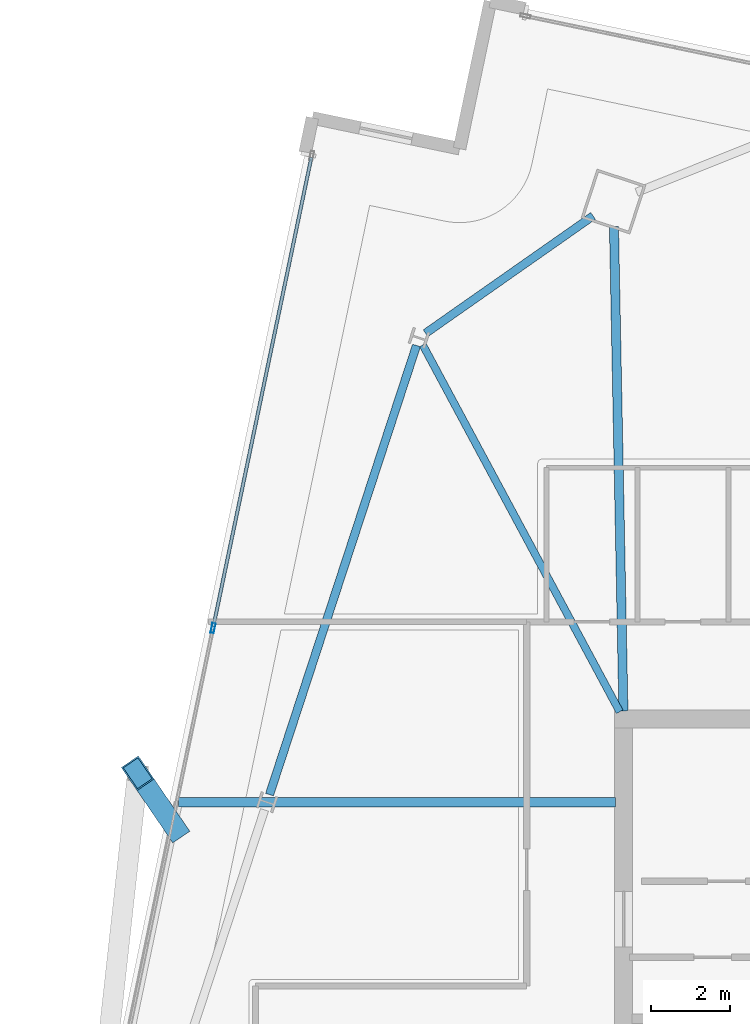
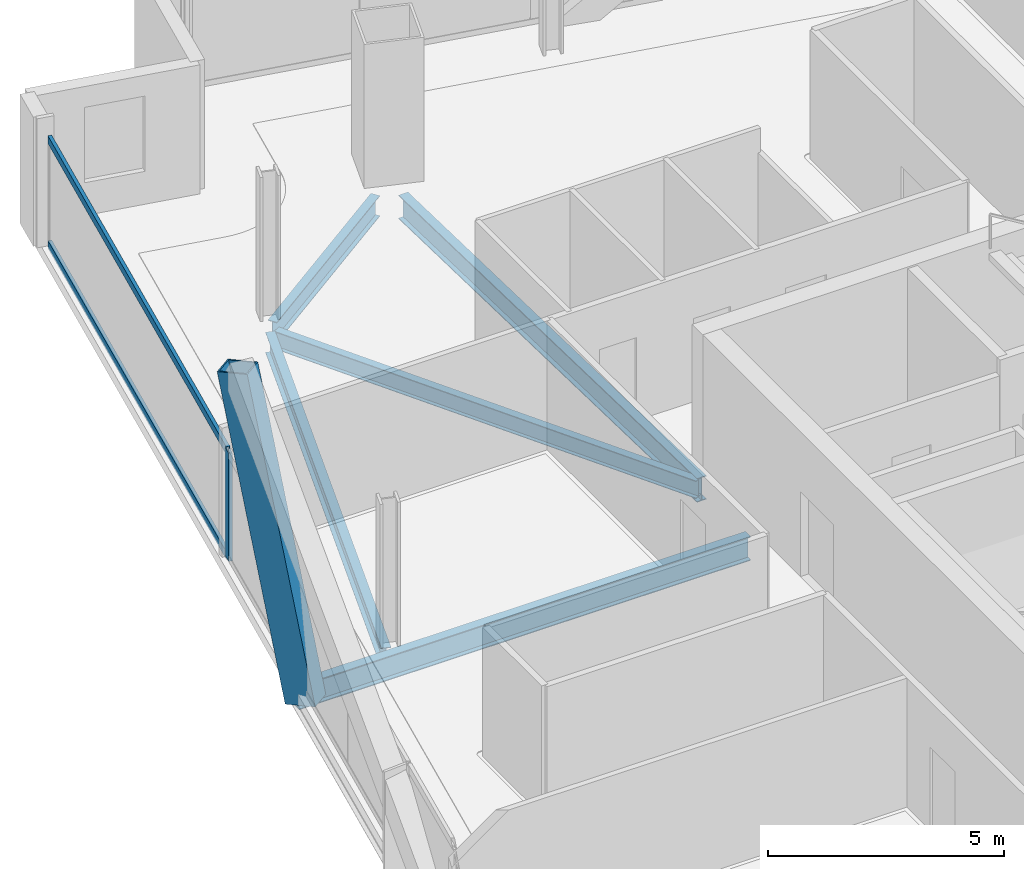
# One storey, part 11 of 24: 5 beams, 4 members, 1 element without a shape of its own.
"""IFC4 building model written with IfcOpenShell, lengths in metres."""

from ifc_helpers import new_model, si_unit, direction, frame, origin, origin_2d, place, context, subcontext, project, spatial, hollow_rectangle, i_section, extrude, material, material_profile, profile_set, type_object, element, aggregate, save


model = new_model("IFC4")

# Units and contexts
model_context = context("Model", 3, precision=1e-05, world=origin(), true_north=direction((0.0, 1.0)))
body_context = subcontext(model_context, "Body", "Model", "MODEL_VIEW")
ifc_project = project(units=[si_unit("LENGTHUNIT", "METRE"), si_unit("AREAUNIT", "SQUARE_METRE"), si_unit("VOLUMEUNIT", "CUBIC_METRE"), si_unit("PLANEANGLEUNIT", "RADIAN"), si_unit("MASSUNIT", "GRAM", prefix="KILO")], contexts=[model_context])

# Site, building, storey
site_placement = place(None, origin())
site = spatial("IfcSite", under=ifc_project, at=site_placement, CompositionType="ELEMENT")
building_placement = place(site_placement, origin())
building = spatial("IfcBuilding", under=site, at=building_placement, Name="Haldenkirk Collegiate Tower", CompositionType="ELEMENT")
storey_placement = place(building_placement, frame((0.0, 0.0, 289.949951171875)))
storey = spatial("IfcBuildingStorey", under=building, at=storey_placement, Name="L73", CompositionType="ELEMENT", Elevation=289.949951171875)

# Beams
ifc_material_1 = material(Name="Steel ASTM A992 Grade 50", Category="steel")
ifc_material_profile_1 = material_profile(ifc_material_1, i_section(OverallWidth=0.22998046875, OverallDepth=0.616943359375, WebThickness=0.01318359375, FlangeThickness=0.022216796875, at=origin_2d()), Name="W24X94")
ifc_profile_set_1 = profile_set([ifc_material_profile_1], Name="Steel ASTM A992 Grade 50")
beam_type_1 = type_object("IfcBeamType", Name="BM-GIRDER-W24X94", PredefinedType="BEAM", material=ifc_profile_set_1)
beam_1_placement = place(storey_placement, frame((26.75732421875, 46.443603515625, -0.578369140625), z_axis=(0.019505953171, -0.999809740796, 0.0), x_axis=(0.999809740796, 0.019505953171, 0.0)))
element("IfcBeam", 1, at=beam_1_placement, inside=storey, type_object=beam_type_1, Name="L73 primary floor girder 03", PredefinedType="BEAM", context=body_context, shape_type="SweptSolid", body=[
    extrude(i_section(OverallWidth=0.22998046875, OverallDepth=0.616943359375, WebThickness=0.01318359375, FlangeThickness=0.022216796875, at=origin_2d()), origin(), (0.0, 0.0, 1.0), 12.240966796875),
])
beam_2_placement = place(storey_placement, frame((15.747314453125, 31.8935546875, -0.578369140625), z_axis=(1.0, 0.0, 0.0), x_axis=(0.0, 1.0, 0.0)))
element("IfcBeam", 2, at=beam_2_placement, inside=storey, type_object=beam_type_1, Name="L73 primary floor girder 12", PredefinedType="BEAM", context=body_context, shape_type="SweptSolid", body=[
    extrude(i_section(OverallWidth=0.22998046875, OverallDepth=0.616943359375, WebThickness=0.01318359375, FlangeThickness=0.022216796875, at=origin_2d()), origin(), (0.0, 0.0, 1.0), 11.047607421875),
])
ifc_material_profile_2 = material_profile(ifc_material_1, i_section(OverallWidth=0.18994140625, OverallDepth=0.45703125, WebThickness=0.009033203125, FlangeThickness=0.014404296875, at=origin_2d()), Name="W18X50")
ifc_profile_set_2 = profile_set([ifc_material_profile_2], Name="Steel ASTM A992 Grade 50")
beam_type_2 = type_object("IfcBeamType", Name="BM-JOIST-W18X50", PredefinedType="JOIST", material=ifc_profile_set_2)
beam_3_placement = place(storey_placement, frame((21.92578125, 43.45068359375, -0.49853515625), z_axis=(0.473049262391, -0.881035978466, 0.0), x_axis=(0.881035978466, 0.473049262391, 0.0)))
element("IfcBeam", 3, at=beam_3_placement, inside=storey, type_object=beam_type_2, Name="L73 composite floor joist 11", PredefinedType="JOIST", context=body_context, shape_type="SweptSolid", body=[
    extrude(i_section(OverallWidth=0.18994140625, OverallDepth=0.45703125, WebThickness=0.009033203125, FlangeThickness=0.014404296875, at=origin_2d()), origin(), (0.0, 0.0, 1.0), 10.521728515625),
])
ifc_material_profile_3 = material_profile(ifc_material_1, i_section(OverallWidth=0.2099609375, OverallDepth=0.537109375, WebThickness=0.010986328125, FlangeThickness=0.017333984375, at=origin_2d()), Name="W21X68")
ifc_profile_set_3 = profile_set([ifc_material_profile_3], Name="Steel ASTM A992 Grade 50")
beam_type_3 = type_object("IfcBeamType", Name="BM-SPANDREL-W21X68", PredefinedType="SPANDREL", material=ifc_profile_set_3)
beam_4_placement = place(storey_placement, frame((26.22900390625, 46.7119140625, -0.538330078125), z_axis=(-0.818927819185, -0.573896529842, 0.0), x_axis=(0.573896529842, -0.818927819185, 0.0)))
element("IfcBeam", 4, at=beam_4_placement, inside=storey, type_object=beam_type_3, Name="L73 perimeter spandrel beam 09", PredefinedType="SPANDREL", context=body_context, shape_type="SweptSolid", body=[
    extrude(i_section(OverallWidth=0.2099609375, OverallDepth=0.537109375, WebThickness=0.010986328125, FlangeThickness=0.017333984375, at=origin_2d()), origin(), (0.0, 0.0, 1.0), 5.169189453125),
])
beam_5_placement = place(storey_placement, frame((21.76708984375, 43.436767578125, -0.538330078125), z_axis=(-0.311010188249, -0.950406577631, 0.0), x_axis=(0.950406577631, -0.311010188249, 0.0)))
element("IfcBeam", 5, at=beam_5_placement, inside=storey, type_object=beam_type_3, Name="L73 perimeter spandrel beam 10", PredefinedType="SPANDREL", context=body_context, shape_type="SweptSolid", body=[
    extrude(i_section(OverallWidth=0.2099609375, OverallDepth=0.537109375, WebThickness=0.010986328125, FlangeThickness=0.017333984375, at=origin_2d()), origin(), (0.0, 0.0, 1.0), 11.94287109375),
])

# Curtain wall, members
ifc_material_2 = material(Name="Anodised architectural bronze aluminium", Category="aluminium")
curtain_wall_type = type_object("IfcCurtainWallType", Name="CW-SYS1B-CONVEX-HI", PredefinedType="USERDEFINED", material=ifc_material_2)
curtain_wall_placement = place(storey_placement, origin())
curtain_wall = element("IfcCurtainWall", 6, at=curtain_wall_placement, inside=storey, type_object=curtain_wall_type, Name="L73 Upper tower high-wind convex bronze unitised curtain wall", ObjectType="UNITISED CURTAIN WALL", PredefinedType="USERDEFINED")
ifc_material_profile_4 = material_profile(ifc_material_2, hollow_rectangle(XDim=0.0849609375, YDim=0.25, WallThickness=0.0048828125, at=origin_2d()), Name="CW-MUL-1B")
ifc_profile_set_4 = profile_set([ifc_material_profile_4], Name="Anodised architectural bronze aluminium")
member_type_1 = type_object("IfcMemberType", Name="CW-MUL-1B", PredefinedType="MULLION", material=ifc_profile_set_4)
member_1_placement = place(storey_placement, frame((16.626220703125, 36.296142578125, 0.0), z_axis=(0.0, 0.0, 1.0), x_axis=(-0.978866833362, 0.204498710371, 0.0)))
member_1 = element("IfcMember", 7, at=member_1_placement, type_object=member_type_1, Name="CW-1B mullion 3", PredefinedType="MULLION", context=body_context, shape_type="SweptSolid", body=[
    extrude(hollow_rectangle(XDim=0.0849609375, YDim=0.25, WallThickness=0.0048828125, at=origin_2d()), origin(), (0.0, 0.0, 1.0), 2.798095703125),
])
ifc_material_profile_5 = material_profile(ifc_material_2, hollow_rectangle(XDim=0.0849609375, YDim=0.199951171875, WallThickness=0.0048828125, at=origin_2d()), Name="CW-TRN-1B")
ifc_profile_set_5 = profile_set([ifc_material_profile_5], Name="Anodised architectural bronze aluminium")
member_type_2 = type_object("IfcMemberType", Name="CW-TRN-1B", PredefinedType="USERDEFINED", material=ifc_profile_set_5)
member_2_placement = place(storey_placement, frame((16.634765625, 36.337646484375, 0.04248046875), z_axis=(0.204493800549, 0.978867859079, 0.0), x_axis=(-0.978867859079, 0.204493800549, 0.0)))
member_2 = element("IfcMember", 8, at=member_2_placement, type_object=member_type_2, Name="CW-1B transom 3.1", ObjectType="TRANSOM", PredefinedType="USERDEFINED", context=body_context, shape_type="SweptSolid", body=[
    extrude(hollow_rectangle(XDim=0.0849609375, YDim=0.199951171875, WallThickness=0.0048828125, at=origin_2d()), origin(), (0.0, 0.0, 1.0), 12.10595703125),
])
member_3_placement = place(storey_placement, frame((16.634765625, 36.337646484375, 2.755615234375), z_axis=(0.204493800549, 0.978867859079, 0.0), x_axis=(-0.978867859079, 0.204493800549, 0.0)))
member_3 = element("IfcMember", 9, at=member_3_placement, type_object=member_type_2, Name="CW-1B transom 3.2", ObjectType="TRANSOM", PredefinedType="USERDEFINED", context=body_context, shape_type="SweptSolid", body=[
    extrude(hollow_rectangle(XDim=0.0849609375, YDim=0.199951171875, WallThickness=0.0048828125, at=origin_2d()), origin(), (0.0, 0.0, 1.0), 12.10595703125),
])
aggregate(curtain_wall, [member_1, member_2, member_3])

# Member
ifc_material_3 = material(Name="Steel ASTM A572 Grade 50", Category="steel")
ifc_material_profile_6 = material_profile(ifc_material_3, hollow_rectangle(XDim=0.52001953125, YDim=0.719970703125, WallThickness=0.035888671875, at=origin_2d()), Name="BOX720X520X36")
ifc_profile_set_6 = profile_set([ifc_material_profile_6], Name="Steel ASTM A572 Grade 50")
member_type_3 = type_object("IfcMemberType", Name="MBR-MEGABRACE-BOX720X520X36", PredefinedType="BRACE", material=ifc_profile_set_6)
member_4_placement = place(storey_placement, frame((15.62451171875, 31.306396484375, -0.280029296875), z_axis=(-0.109058253182, 0.159590248773, 0.981140790055), x_axis=(-0.825632792983, -0.564207843929, 0.0)))
element("IfcMember", 10, at=member_4_placement, inside=storey, type_object=member_type_3, Name="Perimeter Mega Brace Z5 L73-L74 NL", PredefinedType="BRACE", context=body_context, shape_type="SweptSolid", body=[
    extrude(hollow_rectangle(XDim=0.52001953125, YDim=0.719970703125, WallThickness=0.035888671875, at=origin_2d()), origin(), (0.0, 0.0, 1.0), 8.276123046875),
])

save(model, "model.ifc")
